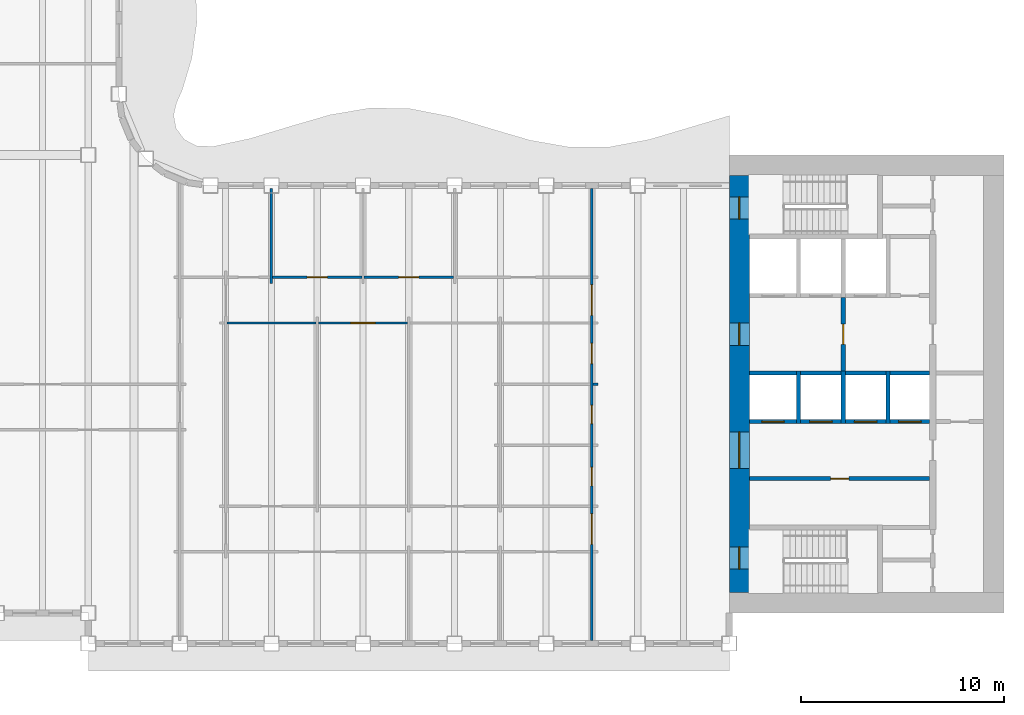
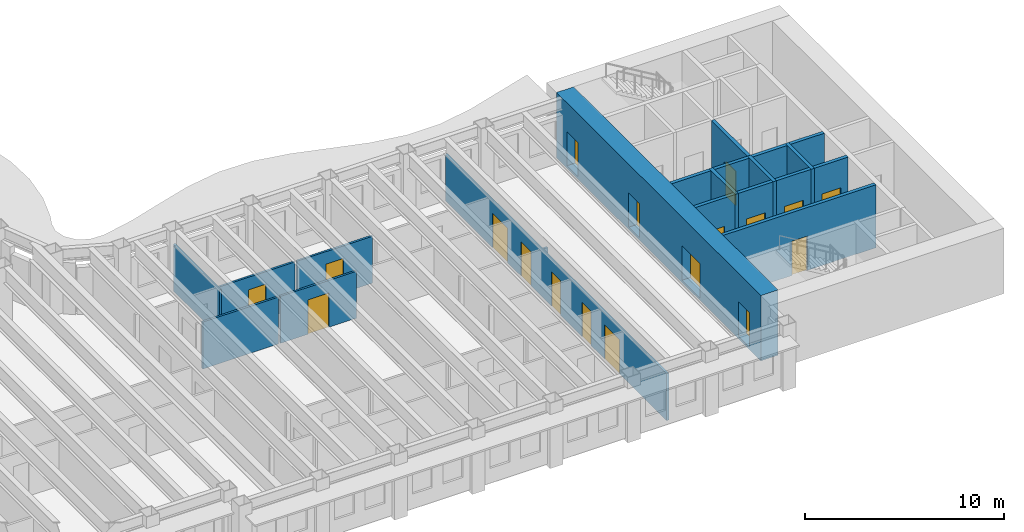
# One storey, part 6 of 16: 21 walls, 18 doors, 18 openings.
"""IFC4 building model written with IfcOpenShell, lengths in metres."""

from ifc_helpers import new_model, si_unit, direction, frame, frame_2d, origin, place, context, subcontext, project, spatial, rectangle, extrude, material, layer, layer_set, type_object, element, fill, save


model = new_model("IFC4")

# Units and contexts
model_context = context("Model", 3, precision=1e-05, world=origin(), true_north=direction((0.0, 1.0)))
body_context = subcontext(model_context, "Body", "Model", "MODEL_VIEW")
ifc_project = project(units=[si_unit("LENGTHUNIT", "METRE"), si_unit("AREAUNIT", "SQUARE_METRE"), si_unit("VOLUMEUNIT", "CUBIC_METRE"), si_unit("PLANEANGLEUNIT", "RADIAN"), si_unit("MASSUNIT", "GRAM", prefix="KILO")], contexts=[model_context])

# Site, building, storey
site_placement = place(None, origin())
site = spatial("IfcSite", under=ifc_project, at=site_placement, CompositionType="ELEMENT")
building_placement = place(site_placement, origin())
building = spatial("IfcBuilding", under=site, at=building_placement, Name="Sennacour Bend Tower", CompositionType="ELEMENT")
storey_placement = place(building_placement, frame((0.0, 0.0, 227.0)))
storey = spatial("IfcBuildingStorey", under=building, at=storey_placement, Name="L52", CompositionType="ELEMENT", Elevation=227.0)

# Wall, openings, doors
ifc_material_1 = material(Name="Concrete C60/75", Category="concrete")
ifc_layer_1 = layer(ifc_material_1, 1.0, Name="Concrete C60/75", Category="concrete")
ifc_layer_set_1 = layer_set([ifc_layer_1], Name="Concrete C60/75")
wall_type_1 = type_object("IfcWallType", Name="Core wall 1000 C60/75", PredefinedType="SHEAR", material=ifc_layer_set_1)
wall_1_placement = place(storey_placement, frame((54.5, 1.0, -0.14990234375), z_axis=(0.0, 0.0, 1.0), x_axis=(0.0, 1.0, 0.0)))
wall_1 = element("IfcWall", 1, at=wall_1_placement, inside=storey, type_object=wall_type_1, Name="Core A wall L52 W", PredefinedType="SHEAR", context=body_context, shape_type="SweptSolid", body=[
    extrude(rectangle(XDim=20.5, YDim=1.0, at=frame_2d((10.25, 0.0))), origin(), (0.0, 0.0, 1.0), 4.0),
])
opening_1_placement = place(wall_1_placement, frame((6.10009765625, 0.0, 0.14990234375)))
opening_1 = element("IfcOpeningElement", 2, at=opening_1_placement, cuts=wall_1, Name="Opening CD", PredefinedType="OPENING", context=body_context, shape_type="SweptSolid", body=[
    extrude(rectangle(XDim=1.800048828125, YDim=2.10009765625, at=frame_2d((0.89990234375, 1.050048828125))), frame((0.0, 0.510009765625, 0.0), z_axis=(0.0, -1.0, 0.0), x_axis=(1.0, 0.0, 0.0)), (0.0, 0.0, 1.0), 1.02001953125),
])
opening_2_placement = place(wall_1_placement, frame((12.14990234375, 0.0, 0.14990234375)))
opening_2 = element("IfcOpeningElement", 3, at=opening_2_placement, cuts=wall_1, Name="Opening FD", PredefinedType="OPENING", context=body_context, shape_type="SweptSolid", body=[
    extrude(rectangle(XDim=1.10009765625, YDim=2.10009765625, at=frame_2d((0.550048828125, 1.050048828125))), frame((0.0, 0.510009765625, 0.0), z_axis=(0.0, -1.0, 0.0), x_axis=(1.0, 0.0, 0.0)), (0.0, 0.0, 1.0), 1.02001953125),
])
opening_3_placement = place(wall_1_placement, frame((1.14990234375, 0.0, 0.14990234375)))
opening_3 = element("IfcOpeningElement", 4, at=opening_3_placement, cuts=wall_1, Name="Opening SD", PredefinedType="OPENING", context=body_context, shape_type="SweptSolid", body=[
    extrude(rectangle(XDim=1.10009765625, YDim=2.10009765625, at=frame_2d((0.550048828125, 1.050048828125))), frame((0.0, 0.510009765625, 0.0), z_axis=(0.0, -1.0, 0.0), x_axis=(1.0, 0.0, 0.0)), (0.0, 0.0, 1.0), 1.02001953125),
])
opening_4_placement = place(wall_1_placement, frame((18.35009765625, 0.0, 0.14990234375)))
opening_4 = element("IfcOpeningElement", 5, at=opening_4_placement, cuts=wall_1, Name="Opening SD", PredefinedType="OPENING", context=body_context, shape_type="SweptSolid", body=[
    extrude(rectangle(XDim=1.10009765625, YDim=2.10009765625, at=frame_2d((0.550048828125, 1.050048828125))), frame((0.0, 0.510009765625, 0.0), z_axis=(0.0, -1.0, 0.0), x_axis=(1.0, 0.0, 0.0)), (0.0, 0.0, 1.0), 1.02001953125),
])
ifc_material_2 = material(Name="Painted steel", Category="steel")
door_type_1 = type_object("IfcDoorType", Name="DR-FFL-1100", OperationType="NOTDEFINED", PredefinedType="DOOR", material=ifc_material_2)
door_1_placement = place(opening_2_placement, origin())
door_1 = element("IfcDoor", 6, at=door_1_placement, inside=storey, type_object=door_type_1, Name="Door", OperationType="SINGLE_SWING_RIGHT", OverallHeight=2.10009765625, OverallWidth=1.10009765625, PredefinedType="DOOR", context=body_context, shape_type="SweptSolid", body=[
    extrude(rectangle(XDim=1.10009765625, YDim=2.10009765625, at=frame_2d((0.550048828125, 1.050048828125))), frame((0.0, 0.02490234375, 0.0), z_axis=(0.0, -1.0, 0.0), x_axis=(1.0, 0.0, 0.0)), (0.0, 0.0, 1.0), 0.050048828125),
])
fill(opening_2, door_1)
door_type_2 = type_object("IfcDoorType", Name="DR-LOBBY-1800", OperationType="NOTDEFINED", PredefinedType="DOOR", material=ifc_material_2)
door_2_placement = place(opening_1_placement, origin())
door_2 = element("IfcDoor", 7, at=door_2_placement, inside=storey, type_object=door_type_2, Name="Door", OperationType="DOUBLE_DOOR_SINGLE_SWING", OverallHeight=2.10009765625, OverallWidth=1.800048828125, PredefinedType="DOOR", context=body_context, shape_type="SweptSolid", body=[
    extrude(rectangle(XDim=1.800048828125, YDim=2.10009765625, at=frame_2d((0.89990234375, 1.050048828125))), frame((0.0, 0.02490234375, 0.0), z_axis=(0.0, -1.0, 0.0), x_axis=(1.0, 0.0, 0.0)), (0.0, 0.0, 1.0), 0.050048828125),
])
fill(opening_1, door_2)
door_type_3 = type_object("IfcDoorType", Name="DR-STAIR-1100", OperationType="NOTDEFINED", PredefinedType="DOOR", material=ifc_material_2)
door_3_placement = place(opening_3_placement, origin())
door_3 = element("IfcDoor", 8, at=door_3_placement, inside=storey, type_object=door_type_3, Name="Door", OperationType="SINGLE_SWING_LEFT", OverallHeight=2.10009765625, OverallWidth=1.10009765625, PredefinedType="DOOR", context=body_context, shape_type="SweptSolid", body=[
    extrude(rectangle(XDim=1.10009765625, YDim=2.10009765625, at=frame_2d((0.550048828125, 1.050048828125))), frame((0.0, 0.02490234375, 0.0), z_axis=(0.0, -1.0, 0.0), x_axis=(1.0, 0.0, 0.0)), (0.0, 0.0, 1.0), 0.050048828125),
])
fill(opening_3, door_3)
door_4_placement = place(opening_4_placement, origin())
door_4 = element("IfcDoor", 9, at=door_4_placement, inside=storey, type_object=door_type_3, Name="Door", OperationType="SINGLE_SWING_RIGHT", OverallHeight=2.10009765625, OverallWidth=1.10009765625, PredefinedType="DOOR", context=body_context, shape_type="SweptSolid", body=[
    extrude(rectangle(XDim=1.10009765625, YDim=2.10009765625, at=frame_2d((0.550048828125, 1.050048828125))), frame((0.0, 0.02490234375, 0.0), z_axis=(0.0, -1.0, 0.0), x_axis=(1.0, 0.0, 0.0)), (0.0, 0.0, 1.0), 0.050048828125),
])
fill(opening_4, door_4)

# Walls
ifc_material_3 = material(Name="Plasterboard partition on steel studs", Category="steel")
ifc_layer_2 = layer(ifc_material_3, 0.1201171875, Name="Plasterboard partition on steel studs", Category="steel")
ifc_layer_set_2 = layer_set([ifc_layer_2], Name="Plasterboard partition on steel studs")
wall_type_2 = type_object("IfcWallType", Name="Partition 120", PredefinedType="PARTITIONING", material=ifc_layer_set_2)
wall_2_placement = place(storey_placement, frame((31.5, 16.199951171875, 0.0), z_axis=(0.0, 0.0, 1.0), x_axis=(0.0, 1.0, 0.0)))
element("IfcWall", 10, at=wall_2_placement, inside=storey, type_object=wall_type_2, Name="P-L52-W028a", PredefinedType="PARTITIONING", context=body_context, shape_type="SweptSolid", body=[
    extrude(rectangle(XDim=4.650146484375, YDim=0.1201171875, at=frame_2d((2.3251953125, 0.0))), origin(), (0.0, 0.0, 1.0), 2.8701171875),
])
wall_3_placement = place(storey_placement, frame((47.31005859375, 11.25, 0.0), z_axis=(0.0, 0.0, 1.0), x_axis=(1.0, 0.0, 0.0)))
element("IfcWall", 11, at=wall_3_placement, inside=storey, type_object=wall_type_2, Name="P-L52-W066ac", PredefinedType="PARTITIONING", context=body_context, shape_type="SweptSolid", body=[
    extrude(rectangle(XDim=0.239990234375, YDim=0.1201171875, at=frame_2d((0.1201171875, 0.0))), origin(), (0.0, 0.0, 1.0), 2.8701171875),
])
wall_4_placement = place(storey_placement, frame((29.31005859375, 14.25, 0.0), z_axis=(0.0, 0.0, 1.0), x_axis=(1.0, 0.0, 0.0)))
element("IfcWall", 12, at=wall_4_placement, inside=storey, type_object=wall_type_2, Name="P-L52-W069ab", PredefinedType="PARTITIONING", context=body_context, shape_type="SweptSolid", body=[
    extrude(rectangle(XDim=4.3798828125, YDim=0.1201171875, at=frame_2d((2.18994140625, 0.0))), origin(), (0.0, 0.0, 1.0), 2.8701171875),
])

# Wall, opening, door
wall_5_placement = place(storey_placement, frame((33.81005859375, 14.25, 0.0), z_axis=(0.0, 0.0, 1.0), x_axis=(1.0, 0.0, 0.0)))
wall_5 = element("IfcWall", 13, at=wall_5_placement, inside=storey, type_object=wall_type_2, Name="P-L52-W069ac", PredefinedType="PARTITIONING", context=body_context, shape_type="SweptSolid", body=[
    extrude(rectangle(XDim=4.3798828125, YDim=0.1201171875, at=frame_2d((2.18994140625, 0.0))), origin(), (0.0, 0.0, 1.0), 2.8701171875),
])
opening_5_placement = place(wall_5_placement, frame((1.58984375, 0.0, 0.0)))
opening_5 = element("IfcOpeningElement", 14, at=opening_5_placement, cuts=wall_5, Name="Opening OD", PredefinedType="OPENING", context=body_context, shape_type="SweptSolid", body=[
    extrude(rectangle(XDim=1.199951171875, YDim=2.10009765625, at=frame_2d((0.60009765625, 1.050048828125))), frame((0.0, 0.070068359375, 0.0), z_axis=(0.0, -1.0, 0.0), x_axis=(1.0, 0.0, 0.0)), (0.0, 0.0, 1.0), 0.14013671875),
])
ifc_material_4 = material(Name="Timber", Category="wood")
door_type_4 = type_object("IfcDoorType", Name="DR-OFFICE-1200", OperationType="NOTDEFINED", PredefinedType="DOOR", material=ifc_material_4)
door_5_placement = place(opening_5_placement, origin())
door_5 = element("IfcDoor", 15, at=door_5_placement, inside=storey, type_object=door_type_4, Name="Door", OperationType="SINGLE_SWING_LEFT", OverallHeight=2.10009765625, OverallWidth=1.199951171875, PredefinedType="DOOR", context=body_context, shape_type="SweptSolid", body=[
    extrude(rectangle(XDim=1.199951171875, YDim=2.10009765625, at=frame_2d((0.60009765625, 1.050048828125))), frame((0.0, 0.02490234375, 0.0), z_axis=(0.0, -1.0, 0.0), x_axis=(1.0, 0.0, 0.0)), (0.0, 0.0, 1.0), 0.050048828125),
])
fill(opening_5, door_5)

wall_6_placement = place(storey_placement, frame((31.56005859375, 16.5, 0.0), z_axis=(0.0, 0.0, 1.0), x_axis=(1.0, 0.0, 0.0)))
wall_6 = element("IfcWall", 16, at=wall_6_placement, inside=storey, type_object=wall_type_2, Name="P-L52-W072ad", PredefinedType="PARTITIONING", context=body_context, shape_type="SweptSolid", body=[
    extrude(rectangle(XDim=4.3798828125, YDim=0.1201171875, at=frame_2d((2.18994140625, 0.0))), origin(), (0.0, 0.0, 1.0), 2.8701171875),
])
opening_6_placement = place(wall_6_placement, frame((1.68994140625, 0.0, 0.0)))
opening_6 = element("IfcOpeningElement", 17, at=opening_6_placement, cuts=wall_6, Name="Opening OD2", PredefinedType="OPENING", context=body_context, shape_type="SweptSolid", body=[
    extrude(rectangle(XDim=1.0, YDim=2.10009765625, at=frame_2d((0.5, 1.050048828125))), frame((0.0, 0.070068359375, 0.0), z_axis=(0.0, -1.0, 0.0), x_axis=(1.0, 0.0, 0.0)), (0.0, 0.0, 1.0), 0.14013671875),
])
door_type_5 = type_object("IfcDoorType", Name="DR-OFFICE-1000", OperationType="NOTDEFINED", PredefinedType="DOOR", material=ifc_material_4)
door_6_placement = place(opening_6_placement, origin())
door_6 = element("IfcDoor", 18, at=door_6_placement, inside=storey, type_object=door_type_5, Name="Door", OperationType="SINGLE_SWING_LEFT", OverallHeight=2.10009765625, OverallWidth=1.0, PredefinedType="DOOR", context=body_context, shape_type="SweptSolid", body=[
    extrude(rectangle(XDim=1.0, YDim=2.10009765625, at=frame_2d((0.5, 1.050048828125))), frame((0.0, 0.02490234375, 0.0), z_axis=(0.0, -1.0, 0.0), x_axis=(1.0, 0.0, 0.0)), (0.0, 0.0, 1.0), 0.050048828125),
])
fill(opening_6, door_6)

wall_7_placement = place(storey_placement, frame((36.06005859375, 16.5, 0.0), z_axis=(0.0, 0.0, 1.0), x_axis=(1.0, 0.0, 0.0)))
wall_7 = element("IfcWall", 19, at=wall_7_placement, inside=storey, type_object=wall_type_2, Name="P-L52-W072ae", PredefinedType="PARTITIONING", context=body_context, shape_type="SweptSolid", body=[
    extrude(rectangle(XDim=4.3798828125, YDim=0.1201171875, at=frame_2d((2.18994140625, 0.0))), origin(), (0.0, 0.0, 1.0), 2.8701171875),
])
opening_7_placement = place(wall_7_placement, frame((1.68994140625, 0.0, 0.0)))
opening_7 = element("IfcOpeningElement", 20, at=opening_7_placement, cuts=wall_7, Name="Opening OD2", PredefinedType="OPENING", context=body_context, shape_type="SweptSolid", body=[
    extrude(rectangle(XDim=1.0, YDim=2.10009765625, at=frame_2d((0.5, 1.050048828125))), frame((0.0, 0.070068359375, 0.0), z_axis=(0.0, -1.0, 0.0), x_axis=(1.0, 0.0, 0.0)), (0.0, 0.0, 1.0), 0.14013671875),
])
door_7_placement = place(opening_7_placement, origin())
door_7 = element("IfcDoor", 21, at=door_7_placement, inside=storey, type_object=door_type_5, Name="Door", OperationType="SINGLE_SWING_LEFT", OverallHeight=2.10009765625, OverallWidth=1.0, PredefinedType="DOOR", context=body_context, shape_type="SweptSolid", body=[
    extrude(rectangle(XDim=1.0, YDim=2.10009765625, at=frame_2d((0.5, 1.050048828125))), frame((0.0, 0.02490234375, 0.0), z_axis=(0.0, -1.0, 0.0), x_axis=(1.0, 0.0, 0.0)), (0.0, 0.0, 1.0), 0.050048828125),
])
fill(opening_7, door_7)

# Wall, openings, doors
ifc_layer_3 = layer(ifc_material_3, 0.1201171875, Name="Plasterboard partition on steel studs", Category="steel")
ifc_layer_set_3 = layer_set([ifc_layer_3], Name="Plasterboard partition on steel studs")
wall_type_3 = type_object("IfcWallType", Name="Partition 120 EI 30", PredefinedType="PARTITIONING", material=ifc_layer_set_3)
wall_8_placement = place(storey_placement, frame((47.25, -1.35009765625, 0.0), z_axis=(0.0, 0.0, 1.0), x_axis=(0.0, 1.0, 0.0)))
wall_8 = element("IfcWall", 22, at=wall_8_placement, inside=storey, type_object=wall_type_3, Name="P-L52-W036a", PredefinedType="PARTITIONING", context=body_context, shape_type="SweptSolid", body=[
    extrude(rectangle(XDim=22.2001953125, YDim=0.1201171875, at=frame_2d((11.10009765625, 0.0))), origin(), (0.0, 0.0, 1.0), 2.8701171875),
])
opening_8_placement = place(wall_8_placement, frame((4.72509765625, 0.0, 0.0)))
opening_8 = element("IfcOpeningElement", 23, at=opening_8_placement, cuts=wall_8, Name="Opening KD", PredefinedType="OPENING", context=body_context, shape_type="SweptSolid", body=[
    extrude(rectangle(XDim=1.5, YDim=2.10009765625, at=frame_2d((0.75, 1.050048828125))), frame((0.0, 0.070068359375, 0.0), z_axis=(0.0, -1.0, 0.0), x_axis=(1.0, 0.0, 0.0)), (0.0, 0.0, 1.0), 0.14013671875),
])
opening_9_placement = place(wall_8_placement, frame((15.97509765625, 0.0, 0.0)))
opening_9 = element("IfcOpeningElement", 24, at=opening_9_placement, cuts=wall_8, Name="Opening KD", PredefinedType="OPENING", context=body_context, shape_type="SweptSolid", body=[
    extrude(rectangle(XDim=1.5, YDim=2.10009765625, at=frame_2d((0.75, 1.050048828125))), frame((0.0, 0.070068359375, 0.0), z_axis=(0.0, -1.0, 0.0), x_axis=(1.0, 0.0, 0.0)), (0.0, 0.0, 1.0), 0.14013671875),
])
opening_10_placement = place(wall_8_placement, frame((7.60009765625, 0.0, 0.0)))
opening_10 = element("IfcOpeningElement", 25, at=opening_10_placement, cuts=wall_8, Name="Opening WD", PredefinedType="OPENING", context=body_context, shape_type="SweptSolid", body=[
    extrude(rectangle(XDim=0.89990234375, YDim=2.10009765625, at=frame_2d((0.449951171875, 1.050048828125))), frame((0.0, 0.070068359375, 0.0), z_axis=(0.0, -1.0, 0.0), x_axis=(1.0, 0.0, 0.0)), (0.0, 0.0, 1.0), 0.14013671875),
])
opening_11_placement = place(wall_8_placement, frame((10.650146484375, 0.0, 0.0)))
opening_11 = element("IfcOpeningElement", 26, at=opening_11_placement, cuts=wall_8, Name="Opening WD", PredefinedType="OPENING", context=body_context, shape_type="SweptSolid", body=[
    extrude(rectangle(XDim=0.89990234375, YDim=2.10009765625, at=frame_2d((0.449951171875, 1.050048828125))), frame((0.0, 0.070068359375, 0.0), z_axis=(0.0, -1.0, 0.0), x_axis=(1.0, 0.0, 0.0)), (0.0, 0.0, 1.0), 0.14013671875),
])
opening_12_placement = place(wall_8_placement, frame((13.60009765625, 0.0, 0.0)))
opening_12 = element("IfcOpeningElement", 27, at=opening_12_placement, cuts=wall_8, Name="Opening AD", PredefinedType="OPENING", context=body_context, shape_type="SweptSolid", body=[
    extrude(rectangle(XDim=1.0, YDim=2.10009765625, at=frame_2d((0.5, 1.050048828125))), frame((0.0, 0.070068359375, 0.0), z_axis=(0.0, -1.0, 0.0), x_axis=(1.0, 0.0, 0.0)), (0.0, 0.0, 1.0), 0.14013671875),
])
door_type_6 = type_object("IfcDoorType", Name="DR-ACC-WC-1000", OperationType="NOTDEFINED", PredefinedType="DOOR", material=ifc_material_4)
door_8_placement = place(opening_12_placement, origin())
door_8 = element("IfcDoor", 28, at=door_8_placement, inside=storey, type_object=door_type_6, Name="Door", OperationType="SINGLE_SWING_RIGHT", OverallHeight=2.10009765625, OverallWidth=1.0, PredefinedType="DOOR", context=body_context, shape_type="SweptSolid", body=[
    extrude(rectangle(XDim=1.0, YDim=2.10009765625, at=frame_2d((0.5, 1.050048828125))), frame((0.0, 0.02490234375, 0.0), z_axis=(0.0, -1.0, 0.0), x_axis=(1.0, 0.0, 0.0)), (0.0, 0.0, 1.0), 0.050048828125),
])
fill(opening_12, door_8)
door_type_7 = type_object("IfcDoorType", Name="DR-CORRIDOR-1500", OperationType="NOTDEFINED", PredefinedType="DOOR", material=ifc_material_2)
door_9_placement = place(opening_8_placement, origin())
door_9 = element("IfcDoor", 29, at=door_9_placement, inside=storey, type_object=door_type_7, Name="Door", OperationType="SINGLE_SWING_LEFT", OverallHeight=2.10009765625, OverallWidth=1.5, PredefinedType="DOOR", context=body_context, shape_type="SweptSolid", body=[
    extrude(rectangle(XDim=1.5, YDim=2.10009765625, at=frame_2d((0.75, 1.050048828125))), frame((0.0, 0.02490234375, 0.0), z_axis=(0.0, -1.0, 0.0), x_axis=(1.0, 0.0, 0.0)), (0.0, 0.0, 1.0), 0.050048828125),
])
fill(opening_8, door_9)
door_10_placement = place(opening_9_placement, origin())
door_10 = element("IfcDoor", 30, at=door_10_placement, inside=storey, type_object=door_type_7, Name="Door", OperationType="SINGLE_SWING_RIGHT", OverallHeight=2.10009765625, OverallWidth=1.5, PredefinedType="DOOR", context=body_context, shape_type="SweptSolid", body=[
    extrude(rectangle(XDim=1.5, YDim=2.10009765625, at=frame_2d((0.75, 1.050048828125))), frame((0.0, 0.02490234375, 0.0), z_axis=(0.0, -1.0, 0.0), x_axis=(1.0, 0.0, 0.0)), (0.0, 0.0, 1.0), 0.050048828125),
])
fill(opening_9, door_10)
door_type_8 = type_object("IfcDoorType", Name="DR-WC-900", OperationType="NOTDEFINED", PredefinedType="DOOR", material=ifc_material_4)
door_11_placement = place(opening_10_placement, origin())
door_11 = element("IfcDoor", 31, at=door_11_placement, inside=storey, type_object=door_type_8, Name="Door", OperationType="SINGLE_SWING_LEFT", OverallHeight=2.10009765625, OverallWidth=0.89990234375, PredefinedType="DOOR", context=body_context, shape_type="SweptSolid", body=[
    extrude(rectangle(XDim=0.89990234375, YDim=2.10009765625, at=frame_2d((0.449951171875, 1.050048828125))), frame((0.0, 0.02490234375, 0.0), z_axis=(0.0, -1.0, 0.0), x_axis=(1.0, 0.0, 0.0)), (0.0, 0.0, 1.0), 0.050048828125),
])
fill(opening_10, door_11)
door_12_placement = place(opening_11_placement, origin())
door_12 = element("IfcDoor", 32, at=door_12_placement, inside=storey, type_object=door_type_8, Name="Door", OperationType="SINGLE_SWING_RIGHT", OverallHeight=2.10009765625, OverallWidth=0.89990234375, PredefinedType="DOOR", context=body_context, shape_type="SweptSolid", body=[
    extrude(rectangle(XDim=0.89990234375, YDim=2.10009765625, at=frame_2d((0.449951171875, 1.050048828125))), frame((0.0, 0.02490234375, 0.0), z_axis=(0.0, -1.0, 0.0), x_axis=(1.0, 0.0, 0.0)), (0.0, 0.0, 1.0), 0.050048828125),
])
fill(opening_11, door_12)

# Wall, opening, door
ifc_material_5 = material(Name="Fire-rated plasterboard partition on steel studs", Category="steel")
ifc_layer_4 = layer(ifc_material_5, 0.199951171875, Name="Fire-rated plasterboard partition on steel studs", Category="steel")
ifc_layer_set_4 = layer_set([ifc_layer_4], Name="Fire-rated plasterboard partition on steel studs")
wall_type_4 = type_object("IfcWallType", Name="Rated partition 200", PredefinedType="PARTITIONING", material=ifc_layer_set_4)
wall_9_placement = place(storey_placement, frame((55.0, 6.60009765625, 0.0), z_axis=(0.0, 0.0, 1.0), x_axis=(1.0, 0.0, 0.0)))
wall_9 = element("IfcWall", 33, at=wall_9_placement, inside=storey, type_object=wall_type_4, Name="P-L52-W060", PredefinedType="PARTITIONING", context=body_context, shape_type="SweptSolid", body=[
    extrude(rectangle(XDim=8.85009765625, YDim=0.199951171875, at=frame_2d((4.425048828125, 0.0))), origin(), (0.0, 0.0, 1.0), 3.85009765625),
])
opening_13_placement = place(wall_9_placement, frame((3.97509765625, 0.0, 0.0)))
opening_13 = element("IfcOpeningElement", 34, at=opening_13_placement, cuts=wall_9, Name="Opening SV", PredefinedType="OPENING", context=body_context, shape_type="SweptSolid", body=[
    extrude(rectangle(XDim=0.89990234375, YDim=2.10009765625, at=frame_2d((0.449951171875, 1.050048828125))), frame((0.0, 0.10986328125, 0.0), z_axis=(0.0, -1.0, 0.0), x_axis=(1.0, 0.0, 0.0)), (0.0, 0.0, 1.0), 0.219970703125),
])
door_type_9 = type_object("IfcDoorType", Name="DR-SERVICE-900", OperationType="NOTDEFINED", PredefinedType="DOOR", material=ifc_material_2)
door_13_placement = place(opening_13_placement, origin())
door_13 = element("IfcDoor", 35, at=door_13_placement, inside=storey, type_object=door_type_9, Name="Door", OperationType="SINGLE_SWING_LEFT", OverallHeight=2.10009765625, OverallWidth=0.89990234375, PredefinedType="DOOR", context=body_context, shape_type="SweptSolid", body=[
    extrude(rectangle(XDim=0.89990234375, YDim=2.10009765625, at=frame_2d((0.449951171875, 1.050048828125))), frame((0.0, 0.02490234375, 0.0), z_axis=(0.0, -1.0, 0.0), x_axis=(1.0, 0.0, 0.0)), (0.0, 0.0, 1.0), 0.050048828125),
])
fill(opening_13, door_13)

ifc_layer_5 = layer(ifc_material_5, 0.199951171875, Name="Fire-rated plasterboard partition on steel studs", Category="steel")
ifc_layer_set_5 = layer_set([ifc_layer_5], Name="Fire-rated plasterboard partition on steel studs")
wall_type_5 = type_object("IfcWallType", Name="Rated partition 200 EI 90", PredefinedType="PARTITIONING", material=ifc_layer_set_5)
wall_10_placement = place(storey_placement, frame((59.60009765625, 11.89990234375, 0.0), z_axis=(0.0, 0.0, 1.0), x_axis=(0.0, 1.0, 0.0)))
wall_10 = element("IfcWall", 36, at=wall_10_placement, inside=storey, type_object=wall_type_5, Name="P-L52-W041", PredefinedType="PARTITIONING", context=body_context, shape_type="SweptSolid", body=[
    extrude(rectangle(XDim=3.60009765625, YDim=0.199951171875, at=frame_2d((1.800048828125, 0.0))), origin(), (0.0, 0.0, 1.0), 3.85009765625),
])
opening_14_placement = place(wall_10_placement, frame((1.300048828125, 0.0, 0.0)))
opening_14 = element("IfcOpeningElement", 37, at=opening_14_placement, cuts=wall_10, Name="Opening FD2", PredefinedType="OPENING", context=body_context, shape_type="SweptSolid", body=[
    extrude(rectangle(XDim=1.0, YDim=2.10009765625, at=frame_2d((0.5, 1.050048828125))), frame((0.0, 0.10986328125, 0.0), z_axis=(0.0, -1.0, 0.0), x_axis=(1.0, 0.0, 0.0)), (0.0, 0.0, 1.0), 0.219970703125),
])
door_type_10 = type_object("IfcDoorType", Name="DR-FFL-1000", OperationType="NOTDEFINED", PredefinedType="DOOR", material=ifc_material_2)
door_14_placement = place(opening_14_placement, origin())
door_14 = element("IfcDoor", 38, at=door_14_placement, inside=storey, type_object=door_type_10, Name="Door", OperationType="SINGLE_SWING_LEFT", OverallHeight=2.10009765625, OverallWidth=1.0, PredefinedType="DOOR", context=body_context, shape_type="SweptSolid", body=[
    extrude(rectangle(XDim=1.0, YDim=2.10009765625, at=frame_2d((0.5, 1.050048828125))), frame((0.0, 0.02490234375, 0.0), z_axis=(0.0, -1.0, 0.0), x_axis=(1.0, 0.0, 0.0)), (0.0, 0.0, 1.0), 0.050048828125),
])
fill(opening_14, door_14)

# Walls
ifc_material_6 = material(Name="Concrete C50/60", Category="concrete")
ifc_layer_6 = layer(ifc_material_6, 0.199951171875, Name="Concrete C50/60", Category="concrete")
ifc_layer_set_6 = layer_set([ifc_layer_6], Name="Concrete C50/60")
wall_type_6 = type_object("IfcWallType", Name="Shaft wall 200", PredefinedType="SOLIDWALL", material=ifc_layer_set_6)
for number, where, z_axis, x_axis, name in (
    (39, (57.39990234375, 9.300048828125, 0.0), (0.0, 0.0, 1.0), (0.0, 1.0, 0.0), "P-L52-W038"),
    (40, (59.60009765625, 9.300048828125, 0.0), (0.0, 0.0, 1.0), (0.0, 1.0, 0.0), "P-L52-W040"),
    (41, (61.800048828125, 9.300048828125, 0.0), (0.0, 0.0, 1.0), (0.0, 1.0, 0.0), "P-L52-W045"),
):
    element("IfcWall", number, at=place(storey_placement, frame(where, z_axis=z_axis, x_axis=x_axis)), inside=storey, type_object=wall_type_6, Name=name, PredefinedType="SOLIDWALL", context=body_context, shape_type="SweptSolid", body=[
        extrude(rectangle(XDim=2.599853515625, YDim=0.199951171875, at=frame_2d((1.2998046875, 0.0))), origin(), (0.0, 0.0, 1.0), 3.85009765625),
    ])

# Wall, opening, door
wall_11_placement = place(storey_placement, frame((55.0, 9.39990234375, 0.0), z_axis=(0.0, 0.0, 1.0), x_axis=(1.0, 0.0, 0.0)))
wall_11 = element("IfcWall", 42, at=wall_11_placement, inside=storey, type_object=wall_type_6, Name="P-L52-W063a", PredefinedType="SOLIDWALL", context=body_context, shape_type="SweptSolid", body=[
    extrude(rectangle(XDim=2.300048828125, YDim=0.199951171875, at=frame_2d((1.14990234375, 0.0))), origin(), (0.0, 0.0, 1.0), 3.85009765625),
])
opening_15_placement = place(wall_11_placement, frame((0.60009765625, 0.0, 0.011962890625)))
opening_15 = element("IfcOpeningElement", 43, at=opening_15_placement, cuts=wall_11, Name="Opening LD", PredefinedType="OPENING", context=body_context, shape_type="SweptSolid", body=[
    extrude(rectangle(XDim=1.10009765625, YDim=2.10009765625, at=frame_2d((0.550048828125, 1.050048828125))), frame((0.0, 0.10986328125, 0.0), z_axis=(0.0, -1.0, 0.0), x_axis=(1.0, 0.0, 0.0)), (0.0, 0.0, 1.0), 0.219970703125),
])
ifc_material_7 = material(Name="Stainless steel", Category="steel")
door_type_11 = type_object("IfcDoorType", Name="DR-LANDING-1100", OperationType="NOTDEFINED", PredefinedType="DOOR", material=ifc_material_7)
door_15_placement = place(opening_15_placement, origin())
door_15 = element("IfcDoor", 44, at=door_15_placement, inside=storey, type_object=door_type_11, Name="Lift landing door HA1", OperationType="SLIDING_TO_LEFT", OverallHeight=2.10009765625, OverallWidth=1.10009765625, PredefinedType="DOOR", context=body_context, shape_type="SweptSolid", body=[
    extrude(rectangle(XDim=1.10009765625, YDim=2.10009765625, at=frame_2d((0.550048828125, 1.050048828125))), frame((0.0, 0.02490234375, 0.0), z_axis=(0.0, -1.0, 0.0), x_axis=(1.0, 0.0, 0.0)), (0.0, 0.0, 1.0), 0.050048828125),
])
fill(opening_15, door_15)

wall_12_placement = place(storey_placement, frame((57.5, 9.39990234375, 0.0), z_axis=(0.0, 0.0, 1.0), x_axis=(1.0, 0.0, 0.0)))
wall_12 = element("IfcWall", 45, at=wall_12_placement, inside=storey, type_object=wall_type_6, Name="P-L52-W063b", PredefinedType="SOLIDWALL", context=body_context, shape_type="SweptSolid", body=[
    extrude(rectangle(XDim=2.0, YDim=0.199951171875, at=frame_2d((1.0, 0.0))), origin(), (0.0, 0.0, 1.0), 3.85009765625),
])
opening_16_placement = place(wall_12_placement, frame((0.449951171875, 0.0, 0.011962890625)))
opening_16 = element("IfcOpeningElement", 46, at=opening_16_placement, cuts=wall_12, Name="Opening LD", PredefinedType="OPENING", context=body_context, shape_type="SweptSolid", body=[
    extrude(rectangle(XDim=1.10009765625, YDim=2.10009765625, at=frame_2d((0.550048828125, 1.050048828125))), frame((0.0, 0.10986328125, 0.0), z_axis=(0.0, -1.0, 0.0), x_axis=(1.0, 0.0, 0.0)), (0.0, 0.0, 1.0), 0.219970703125),
])
door_16_placement = place(opening_16_placement, origin())
door_16 = element("IfcDoor", 47, at=door_16_placement, inside=storey, type_object=door_type_11, Name="Lift landing door HA2", OperationType="SLIDING_TO_RIGHT", OverallHeight=2.10009765625, OverallWidth=1.10009765625, PredefinedType="DOOR", context=body_context, shape_type="SweptSolid", body=[
    extrude(rectangle(XDim=1.10009765625, YDim=2.10009765625, at=frame_2d((0.550048828125, 1.050048828125))), frame((0.0, 0.02490234375, 0.0), z_axis=(0.0, -1.0, 0.0), x_axis=(1.0, 0.0, 0.0)), (0.0, 0.0, 1.0), 0.050048828125),
])
fill(opening_16, door_16)

wall_13_placement = place(storey_placement, frame((59.699951171875, 9.39990234375, 0.0), z_axis=(0.0, 0.0, 1.0), x_axis=(1.0, 0.0, 0.0)))
wall_13 = element("IfcWall", 48, at=wall_13_placement, inside=storey, type_object=wall_type_6, Name="P-L52-W063c", PredefinedType="SOLIDWALL", context=body_context, shape_type="SweptSolid", body=[
    extrude(rectangle(XDim=2.0, YDim=0.199951171875, at=frame_2d((1.0, 0.0))), origin(), (0.0, 0.0, 1.0), 3.85009765625),
])
opening_17_placement = place(wall_13_placement, frame((0.449951171875, 0.0, 0.011962890625)))
opening_17 = element("IfcOpeningElement", 49, at=opening_17_placement, cuts=wall_13, Name="Opening LD", PredefinedType="OPENING", context=body_context, shape_type="SweptSolid", body=[
    extrude(rectangle(XDim=1.10009765625, YDim=2.10009765625, at=frame_2d((0.550048828125, 1.050048828125))), frame((0.0, 0.10986328125, 0.0), z_axis=(0.0, -1.0, 0.0), x_axis=(1.0, 0.0, 0.0)), (0.0, 0.0, 1.0), 0.219970703125),
])
door_17_placement = place(opening_17_placement, origin())
door_17 = element("IfcDoor", 50, at=door_17_placement, inside=storey, type_object=door_type_11, Name="Lift landing door HA3", OperationType="SLIDING_TO_LEFT", OverallHeight=2.10009765625, OverallWidth=1.10009765625, PredefinedType="DOOR", context=body_context, shape_type="SweptSolid", body=[
    extrude(rectangle(XDim=1.10009765625, YDim=2.10009765625, at=frame_2d((0.550048828125, 1.050048828125))), frame((0.0, 0.02490234375, 0.0), z_axis=(0.0, -1.0, 0.0), x_axis=(1.0, 0.0, 0.0)), (0.0, 0.0, 1.0), 0.050048828125),
])
fill(opening_17, door_17)

wall_14_placement = place(storey_placement, frame((61.89990234375, 9.39990234375, 0.0), z_axis=(0.0, 0.0, 1.0), x_axis=(1.0, 0.0, 0.0)))
wall_14 = element("IfcWall", 51, at=wall_14_placement, inside=storey, type_object=wall_type_6, Name="P-L52-W063d", PredefinedType="SOLIDWALL", context=body_context, shape_type="SweptSolid", body=[
    extrude(rectangle(XDim=1.9501953125, YDim=0.199951171875, at=frame_2d((0.97509765625, 0.0))), origin(), (0.0, 0.0, 1.0), 3.85009765625),
])
opening_18_placement = place(wall_14_placement, frame((0.425048828125, 0.0, 0.011962890625)))
opening_18 = element("IfcOpeningElement", 52, at=opening_18_placement, cuts=wall_14, Name="Opening LD", PredefinedType="OPENING", context=body_context, shape_type="SweptSolid", body=[
    extrude(rectangle(XDim=1.10009765625, YDim=2.10009765625, at=frame_2d((0.550048828125, 1.050048828125))), frame((0.0, 0.10986328125, 0.0), z_axis=(0.0, -1.0, 0.0), x_axis=(1.0, 0.0, 0.0)), (0.0, 0.0, 1.0), 0.219970703125),
])
door_18_placement = place(opening_18_placement, origin())
door_18 = element("IfcDoor", 53, at=door_18_placement, inside=storey, type_object=door_type_11, Name="Lift landing door HA4", OperationType="SLIDING_TO_RIGHT", OverallHeight=2.10009765625, OverallWidth=1.10009765625, PredefinedType="DOOR", context=body_context, shape_type="SweptSolid", body=[
    extrude(rectangle(XDim=1.10009765625, YDim=2.10009765625, at=frame_2d((0.550048828125, 1.050048828125))), frame((0.0, 0.02490234375, 0.0), z_axis=(0.0, -1.0, 0.0), x_axis=(1.0, 0.0, 0.0)), (0.0, 0.0, 1.0), 0.050048828125),
])
fill(opening_18, door_18)

# Walls
wall_15_placement = place(storey_placement, frame((55.0, 11.800048828125, 0.0), z_axis=(0.0, 0.0, 1.0), x_axis=(1.0, 0.0, 0.0)))
element("IfcWall", 54, at=wall_15_placement, inside=storey, type_object=wall_type_6, Name="P-L52-W067a", PredefinedType="SOLIDWALL", context=body_context, shape_type="SweptSolid", body=[
    extrude(rectangle(XDim=2.300048828125, YDim=0.199951171875, at=frame_2d((1.14990234375, 0.0))), origin(), (0.0, 0.0, 1.0), 3.85009765625),
])
for number, where, z_axis, x_axis, name in (
    (55, (57.5, 11.800048828125, 0.0), (0.0, 0.0, 1.0), (1.0, 0.0, 0.0), "P-L52-W067b"),
    (56, (59.699951171875, 11.800048828125, 0.0), (0.0, 0.0, 1.0), (1.0, 0.0, 0.0), "P-L52-W067c"),
):
    element("IfcWall", number, at=place(storey_placement, frame(where, z_axis=z_axis, x_axis=x_axis)), inside=storey, type_object=wall_type_6, Name=name, PredefinedType="SOLIDWALL", context=body_context, shape_type="SweptSolid", body=[
        extrude(rectangle(XDim=2.0, YDim=0.199951171875, at=frame_2d((1.0, 0.0))), origin(), (0.0, 0.0, 1.0), 3.85009765625),
    ])
wall_16_placement = place(storey_placement, frame((61.89990234375, 11.800048828125, 0.0), z_axis=(0.0, 0.0, 1.0), x_axis=(1.0, 0.0, 0.0)))
element("IfcWall", 57, at=wall_16_placement, inside=storey, type_object=wall_type_6, Name="P-L52-W067d", PredefinedType="SOLIDWALL", context=body_context, shape_type="SweptSolid", body=[
    extrude(rectangle(XDim=1.9501953125, YDim=0.199951171875, at=frame_2d((0.97509765625, 0.0))), origin(), (0.0, 0.0, 1.0), 3.85009765625),
])

save(model, "model.ifc")
